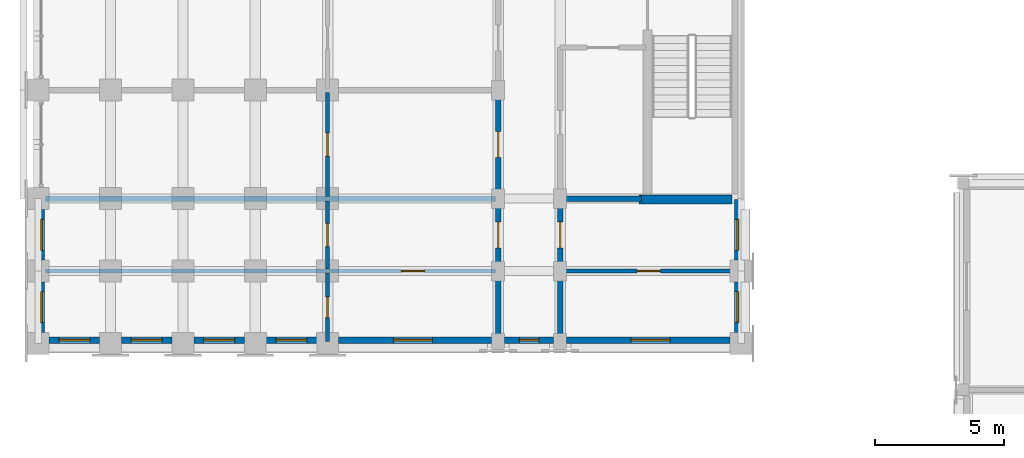
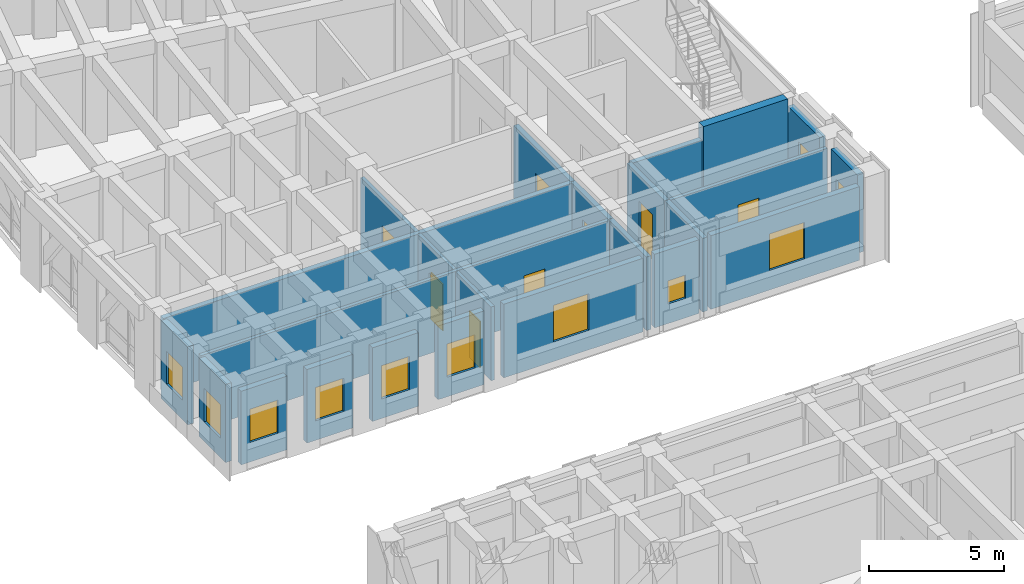
# One storey, part 65 of 97: 24 walls, 11 windows, 8 doors, 19 openings.
"""IFC4 building model written with IfcOpenShell, lengths in metres."""

from ifc_helpers import new_model, si_unit, direction, frame, frame_2d, origin, place, context, subcontext, project, spatial, rectangle, extrude, material, layer, layer_set, type_object, element, fill, save


model = new_model("IFC4")

# Units and contexts
model_context = context("Model", 3, precision=1e-05, world=origin(), true_north=direction((0.0, 1.0)))
body_context = subcontext(model_context, "Body", "Model", "MODEL_VIEW")
ifc_project = project(units=[si_unit("LENGTHUNIT", "METRE"), si_unit("AREAUNIT", "SQUARE_METRE"), si_unit("VOLUMEUNIT", "CUBIC_METRE"), si_unit("PLANEANGLEUNIT", "RADIAN"), si_unit("MASSUNIT", "GRAM", prefix="KILO")], contexts=[model_context])

# Site, building, storey
site_placement = place(None, origin())
site = spatial("IfcSite", under=ifc_project, at=site_placement, CompositionType="ELEMENT")
building_placement = place(site_placement, origin())
building = spatial("IfcBuilding", under=site, at=building_placement, Name="Kiranvali Square Residences", CompositionType="ELEMENT")
storey_placement = place(building_placement, frame((0.0, 0.0, 4.5)))
storey = spatial("IfcBuildingStorey", under=building, at=storey_placement, Name="L01", CompositionType="ELEMENT", Elevation=4.5)

# Wall, opening, door
ifc_material_1 = material(Name="Autoclaved aerated concrete blockwork masonry", Category="masonry")
ifc_layer_1 = layer(ifc_material_1, 0.199951171875)
ifc_layer_set_1 = layer_set([ifc_layer_1], Name="Autoclaved aerated concrete blockwork masonry")
wall_type_1 = type_object("IfcWallType", Name="WL-COR-200", PredefinedType="STANDARD", material=ifc_layer_set_1)
wall_1_placement = place(storey_placement, frame((20.0, 83.60009765625, 0.0), z_axis=(0.0, 0.0, 1.0), x_axis=(0.0, -1.0, 0.0)))
wall_1 = element("IfcWall", 1, at=wall_1_placement, inside=storey, type_object=wall_type_1, Name="L01 architectural wall WL-L01-A-A2CF-C1", PredefinedType="STANDARD", context=body_context, shape_type="SweptSolid", body=[
    extrude(rectangle(XDim=4.2001953125, YDim=0.199951171875, at=frame_2d((2.10009765625, 0.0))), origin(), (0.0, 0.0, 1.0), 3.322021484375),
])
opening_1_placement = place(wall_1_placement, frame((1.60009765625, 0.0, 0.0)))
opening_1 = element("IfcOpeningElement", 2, at=opening_1_placement, cuts=wall_1, Name="Opening FD-APT-60", PredefinedType="OPENING", context=body_context, shape_type="SweptSolid", body=[
    extrude(rectangle(XDim=1.0, YDim=2.14990234375, at=frame_2d((0.5, 1.074951171875))), frame((0.0, 0.10986328125, 0.0), z_axis=(0.0, -1.0, 0.0), x_axis=(1.0, 0.0, 0.0)), (0.0, 0.0, 1.0), 0.219970703125),
])
ifc_material_2 = material(Name="Fire-rated acoustic hardwood and mineral-core door assembly", Category="wood")
door_type_1 = type_object("IfcDoorType", Name="DR-APT-1000", OperationType="NOTDEFINED", PredefinedType="DOOR", material=ifc_material_2)
door_1_placement = place(opening_1_placement, frame((1.0, 0.0, 0.0), z_axis=(0.0, 0.0, 1.0), x_axis=(-1.0, 0.0, 0.0)))
door_1 = element("IfcDoor", 3, at=door_1_placement, inside=storey, type_object=door_type_1, Name="L01 door DR-L01-0146 (DR-APT-1000)", OperationType="SINGLE_SWING_RIGHT", OverallHeight=2.14990234375, OverallWidth=1.0, PredefinedType="DOOR", context=body_context, shape_type="SweptSolid", body=[
    extrude(rectangle(XDim=1.0, YDim=2.14990234375, at=frame_2d((0.5, 1.074951171875))), frame((0.0, 0.02490234375, 0.0), z_axis=(0.0, -1.0, 0.0), x_axis=(1.0, 0.0, 0.0)), (0.0, 0.0, 1.0), 0.050048828125),
])
fill(opening_1, door_1)

wall_2_placement = place(storey_placement, frame((22.39990234375, 79.39990234375, 0.0), z_axis=(0.0, 0.0, 1.0), x_axis=(0.0, -1.0, 0.0)))
wall_2 = element("IfcWall", 4, at=wall_2_placement, inside=storey, type_object=wall_type_1, Name="L01 architectural wall WL-L01-A-A2CI-0", PredefinedType="STANDARD", context=body_context, shape_type="SweptSolid", body=[
    extrude(rectangle(XDim=2.7998046875, YDim=0.199951171875, at=frame_2d((1.39990234375, 0.0))), origin(), (0.0, 0.0, 1.0), 3.322021484375),
])
opening_2_placement = place(wall_2_placement, frame((0.89990234375, 0.0, 0.0)))
opening_2 = element("IfcOpeningElement", 5, at=opening_2_placement, cuts=wall_2, Name="Opening FD-APT-60", PredefinedType="OPENING", context=body_context, shape_type="SweptSolid", body=[
    extrude(rectangle(XDim=1.0, YDim=2.14990234375, at=frame_2d((0.5, 1.074951171875))), frame((0.0, 0.10986328125, 0.0), z_axis=(0.0, -1.0, 0.0), x_axis=(1.0, 0.0, 0.0)), (0.0, 0.0, 1.0), 0.219970703125),
])
door_2_placement = place(opening_2_placement, frame((1.0, 0.0, 0.0), z_axis=(0.0, 0.0, 1.0), x_axis=(-1.0, 0.0, 0.0)))
door_2 = element("IfcDoor", 6, at=door_2_placement, inside=storey, type_object=door_type_1, Name="L01 door DR-L01-0148 (DR-APT-1000)", OperationType="SINGLE_SWING_RIGHT", OverallHeight=2.14990234375, OverallWidth=1.0, PredefinedType="DOOR", context=body_context, shape_type="SweptSolid", body=[
    extrude(rectangle(XDim=1.0, YDim=2.14990234375, at=frame_2d((0.5, 1.074951171875))), frame((0.0, 0.02490234375, 0.0), z_axis=(0.0, -1.0, 0.0), x_axis=(1.0, 0.0, 0.0)), (0.0, 0.0, 1.0), 0.050048828125),
])
fill(opening_2, door_2)

wall_3_placement = place(storey_placement, frame((20.0, 79.39990234375, 0.0), z_axis=(0.0, 0.0, 1.0), x_axis=(0.0, -1.0, 0.0)))
wall_3 = element("IfcWall", 7, at=wall_3_placement, inside=storey, type_object=wall_type_1, Name="L01 architectural wall WL-L01-A-A2CO-0", PredefinedType="STANDARD", context=body_context, shape_type="SweptSolid", body=[
    extrude(rectangle(XDim=2.7998046875, YDim=0.199951171875, at=frame_2d((1.39990234375, 0.0))), origin(), (0.0, 0.0, 1.0), 3.322021484375),
])
opening_3_placement = place(wall_3_placement, frame((0.89990234375, 0.0, 0.0)))
opening_3 = element("IfcOpeningElement", 8, at=opening_3_placement, cuts=wall_3, Name="Opening FD-APT-60", PredefinedType="OPENING", context=body_context, shape_type="SweptSolid", body=[
    extrude(rectangle(XDim=1.0, YDim=2.14990234375, at=frame_2d((0.5, 1.074951171875))), frame((0.0, 0.10986328125, 0.0), z_axis=(0.0, -1.0, 0.0), x_axis=(1.0, 0.0, 0.0)), (0.0, 0.0, 1.0), 0.219970703125),
])
door_3_placement = place(opening_3_placement, frame((1.0, 0.0, 0.0), z_axis=(0.0, 0.0, 1.0), x_axis=(-1.0, 0.0, 0.0)))
door_3 = element("IfcDoor", 9, at=door_3_placement, inside=storey, type_object=door_type_1, Name="L01 door DR-L01-0150 (DR-APT-1000)", OperationType="SINGLE_SWING_RIGHT", OverallHeight=2.14990234375, OverallWidth=1.0, PredefinedType="DOOR", context=body_context, shape_type="SweptSolid", body=[
    extrude(rectangle(XDim=1.0, YDim=2.14990234375, at=frame_2d((0.5, 1.074951171875))), frame((0.0, 0.02490234375, 0.0), z_axis=(0.0, -1.0, 0.0), x_axis=(1.0, 0.0, 0.0)), (0.0, 0.0, 1.0), 0.050048828125),
])
fill(opening_3, door_3)

# Walls
for number, where, z_axis, x_axis, name in (
    (10, (22.39990234375, 76.60009765625, 0.0), (0.0, 0.0, 1.0), (0.0, -1.0, 0.0), "L01 architectural wall WL-L01-A-A2CI-1"),
    (11, (20.0, 76.60009765625, 0.0), (0.0, 0.0, 1.0), (0.0, -1.0, 0.0), "L01 architectural wall WL-L01-A-A2CO-1"),
):
    element("IfcWall", number, at=place(storey_placement, frame(where, z_axis=z_axis, x_axis=x_axis)), inside=storey, type_object=wall_type_1, Name=name, PredefinedType="STANDARD", context=body_context, shape_type="SweptSolid", body=[
        extrude(rectangle(XDim=2.800048828125, YDim=0.199951171875, at=frame_2d((1.39990234375, 0.0))), origin(), (0.0, 0.0, 1.0), 3.322021484375),
    ])
ifc_layer_2 = layer(ifc_material_1, 0.219970703125)
ifc_layer_set_2 = layer_set([ifc_layer_2], Name="Autoclaved aerated concrete blockwork masonry")
wall_type_2 = type_object("IfcWallType", Name="WL-DEM-220", PredefinedType="STANDARD", material=ifc_layer_set_2)
wall_4_placement = place(storey_placement, frame((25.550048828125, 79.39990234375, 0.0), z_axis=(0.0, 0.0, 1.0), x_axis=(-1.0, 0.0, 0.0)))
element("IfcWall", 12, at=wall_4_placement, inside=storey, type_object=wall_type_2, Name="L01 architectural wall WL-L01-A-A2TI-0", PredefinedType="STANDARD", context=body_context, shape_type="SweptSolid", body=[
    extrude(rectangle(XDim=3.10009765625, YDim=0.219970703125, at=frame_2d((1.550048828125, 0.0))), origin(), (0.0, 0.0, 1.0), 3.322021484375),
])
wall_5_placement = place(storey_placement, frame((19.89990234375, 79.39990234375, 0.0), z_axis=(0.0, 0.0, 1.0), x_axis=(-1.0, 0.0, 0.0)))
element("IfcWall", 13, at=wall_5_placement, inside=storey, type_object=wall_type_2, Name="L01 architectural wall WL-L01-A-A2TO-0", PredefinedType="STANDARD", context=body_context, shape_type="SweptSolid", body=[
    extrude(rectangle(XDim=17.419921875, YDim=0.219970703125, at=frame_2d((8.7099609375, 0.0))), origin(), (0.0, 0.0, 1.0), 3.322021484375),
])

# Wall, opening, window
ifc_material_3 = material(Name="Breathable lime-rendered clay brick masonry", Category="masonry")
ifc_layer_3 = layer(ifc_material_3, 0.25)
ifc_layer_set_3 = layer_set([ifc_layer_3], Name="Breathable lime-rendered clay brick masonry")
wall_type_3 = type_object("IfcWallType", Name="WL-EXT-250", PredefinedType="STANDARD", material=ifc_layer_set_3)
wall_6_placement = place(storey_placement, frame((2.324951171875, 78.97998046875, 0.0), z_axis=(0.0, 0.0, 1.0), x_axis=(0.0, -1.0, 0.0)))
wall_6 = element("IfcWall", 14, at=wall_6_placement, inside=storey, type_object=wall_type_3, Name="L01 exterior wall A-L01-A2O-2", PredefinedType="STANDARD", context=body_context, shape_type="SweptSolid", body=[
    extrude(rectangle(XDim=1.9599609375, YDim=0.25, at=frame_2d((0.97998046875, 0.0))), origin(), (0.0, 0.0, 1.0), 3.52197265625),
])
opening_4_placement = place(wall_6_placement, frame((0.3798828125, 0.0, 0.8798828125)))
opening_4 = element("IfcOpeningElement", 15, at=opening_4_placement, cuts=wall_6, Name="Opening W-06", PredefinedType="OPENING", context=body_context, shape_type="SweptSolid", body=[
    extrude(rectangle(XDim=1.199951171875, YDim=1.5, at=frame_2d((0.60009765625, 0.75))), frame((0.0, 0.135009765625, 0.0), z_axis=(0.0, -1.0, 0.0), x_axis=(1.0, 0.0, 0.0)), (0.0, 0.0, 1.0), 0.27001953125),
])
ifc_material_4 = material(Name="Solar-control low-e double glazing", Category="glass")
window_type_1 = type_object("IfcWindowType", Name="WIN-RES-1200x1500", PartitioningType="SINGLE_PANEL", PredefinedType="WINDOW", material=ifc_material_4)
window_1_placement = place(opening_4_placement, origin())
window_1 = element("IfcWindow", 16, at=window_1_placement, inside=storey, type_object=window_type_1, Name="L01 recessed window A-L01-A2O-2", OverallHeight=1.5, OverallWidth=1.199951171875, PartitioningType="SINGLE_PANEL", PredefinedType="WINDOW", context=body_context, shape_type="SweptSolid", body=[
    extrude(rectangle(XDim=1.199951171875, YDim=1.5, at=frame_2d((0.60009765625, 0.75))), frame((0.0, 0.030029296875, 0.0), z_axis=(0.0, -1.0, 0.0), x_axis=(1.0, 0.0, 0.0)), (0.0, 0.0, 1.0), 0.06005859375),
])
fill(opening_4, window_1)

wall_7_placement = place(storey_placement, frame((2.324951171875, 76.179931640625, 0.0), z_axis=(0.0, 0.0, 1.0), x_axis=(0.0, -1.0, 0.0)))
wall_7 = element("IfcWall", 17, at=wall_7_placement, inside=storey, type_object=wall_type_3, Name="L01 exterior wall A-L01-A2O-3", PredefinedType="STANDARD", context=body_context, shape_type="SweptSolid", body=[
    extrude(rectangle(XDim=1.9599609375, YDim=0.25, at=frame_2d((0.97998046875, 0.0))), origin(), (0.0, 0.0, 1.0), 3.52197265625),
])
opening_5_placement = place(wall_7_placement, frame((0.3798828125, 0.0, 0.8798828125)))
opening_5 = element("IfcOpeningElement", 18, at=opening_5_placement, cuts=wall_7, Name="Opening W-06", PredefinedType="OPENING", context=body_context, shape_type="SweptSolid", body=[
    extrude(rectangle(XDim=1.199951171875, YDim=1.5, at=frame_2d((0.60009765625, 0.75))), frame((0.0, 0.135009765625, 0.0), z_axis=(0.0, -1.0, 0.0), x_axis=(1.0, 0.0, 0.0)), (0.0, 0.0, 1.0), 0.27001953125),
])
window_2_placement = place(opening_5_placement, origin())
window_2 = element("IfcWindow", 19, at=window_2_placement, inside=storey, type_object=window_type_1, Name="L01 recessed window A-L01-A2O-3", OverallHeight=1.5, OverallWidth=1.199951171875, PartitioningType="SINGLE_PANEL", PredefinedType="WINDOW", context=body_context, shape_type="SweptSolid", body=[
    extrude(rectangle(XDim=1.199951171875, YDim=1.5, at=frame_2d((0.60009765625, 0.75))), frame((0.0, 0.030029296875, 0.0), z_axis=(0.0, -1.0, 0.0), x_axis=(1.0, 0.0, 0.0)), (0.0, 0.0, 1.0), 0.06005859375),
])
fill(opening_5, window_2)

wall_8_placement = place(storey_placement, frame((29.27490234375, 79.37158203125, 0.0), z_axis=(0.0, 0.0, 1.0), x_axis=(0.0, -1.0, 0.0)))
wall_8 = element("IfcWall", 20, at=wall_8_placement, inside=storey, type_object=wall_type_3, Name="L01 exterior wall A-L01-A2I-0", PredefinedType="STANDARD", context=body_context, shape_type="SweptSolid", body=[
    extrude(rectangle(XDim=2.3515625, YDim=0.25, at=frame_2d((1.17578125, 0.0))), origin(), (0.0, 0.0, 1.0), 3.52197265625),
])
opening_6_placement = place(wall_8_placement, frame((0.771484375, 0.0, 0.8798828125)))
opening_6 = element("IfcOpeningElement", 21, at=opening_6_placement, cuts=wall_8, Name="Opening W-06", PredefinedType="OPENING", context=body_context, shape_type="SweptSolid", body=[
    extrude(rectangle(XDim=1.199951171875, YDim=1.5, at=frame_2d((0.60009765625, 0.75))), frame((0.0, 0.135009765625, 0.0), z_axis=(0.0, -1.0, 0.0), x_axis=(1.0, 0.0, 0.0)), (0.0, 0.0, 1.0), 0.27001953125),
])
window_3_placement = place(opening_6_placement, origin())
window_3 = element("IfcWindow", 22, at=window_3_placement, inside=storey, type_object=window_type_1, Name="L01 recessed window A-L01-A2I-0", OverallHeight=1.5, OverallWidth=1.199951171875, PartitioningType="SINGLE_PANEL", PredefinedType="WINDOW", context=body_context, shape_type="SweptSolid", body=[
    extrude(rectangle(XDim=1.199951171875, YDim=1.5, at=frame_2d((0.60009765625, 0.75))), frame((0.0, 0.030029296875, 0.0), z_axis=(0.0, -1.0, 0.0), x_axis=(1.0, 0.0, 0.0)), (0.0, 0.0, 1.0), 0.06005859375),
])
fill(opening_6, window_3)

wall_9_placement = place(storey_placement, frame((29.27490234375, 76.179931640625, 0.0), z_axis=(0.0, 0.0, 1.0), x_axis=(0.0, -1.0, 0.0)))
wall_9 = element("IfcWall", 23, at=wall_9_placement, inside=storey, type_object=wall_type_3, Name="L01 exterior wall A-L01-A2I-1", PredefinedType="STANDARD", context=body_context, shape_type="SweptSolid", body=[
    extrude(rectangle(XDim=1.9599609375, YDim=0.25, at=frame_2d((0.97998046875, 0.0))), origin(), (0.0, 0.0, 1.0), 3.52197265625),
])
opening_7_placement = place(wall_9_placement, frame((0.3798828125, 0.0, 0.8798828125)))
opening_7 = element("IfcOpeningElement", 24, at=opening_7_placement, cuts=wall_9, Name="Opening W-06", PredefinedType="OPENING", context=body_context, shape_type="SweptSolid", body=[
    extrude(rectangle(XDim=1.199951171875, YDim=1.5, at=frame_2d((0.60009765625, 0.75))), frame((0.0, 0.135009765625, 0.0), z_axis=(0.0, -1.0, 0.0), x_axis=(1.0, 0.0, 0.0)), (0.0, 0.0, 1.0), 0.27001953125),
])
window_4_placement = place(opening_7_placement, origin())
window_4 = element("IfcWindow", 25, at=window_4_placement, inside=storey, type_object=window_type_1, Name="L01 recessed window A-L01-A2I-1", OverallHeight=1.5, OverallWidth=1.199951171875, PartitioningType="SINGLE_PANEL", PredefinedType="WINDOW", context=body_context, shape_type="SweptSolid", body=[
    extrude(rectangle(XDim=1.199951171875, YDim=1.5, at=frame_2d((0.60009765625, 0.75))), frame((0.0, 0.030029296875, 0.0), z_axis=(0.0, -1.0, 0.0), x_axis=(1.0, 0.0, 0.0)), (0.0, 0.0, 1.0), 0.06005859375),
])
fill(opening_7, window_4)

wall_10_placement = place(storey_placement, frame((28.97998046875, 73.925048828125, 0.0), z_axis=(0.0, 0.0, 1.0), x_axis=(-1.0, 0.0, 0.0)))
wall_10 = element("IfcWall", 26, at=wall_10_placement, inside=storey, type_object=wall_type_3, Name="L01 exterior wall A-L01-A2END-0", PredefinedType="STANDARD", context=body_context, shape_type="SweptSolid", body=[
    extrude(rectangle(XDim=6.326416015625, YDim=0.25, at=frame_2d((3.1630859375, 0.0))), origin(), (0.0, 0.0, 1.0), 3.322021484375),
])
opening_8_placement = place(wall_10_placement, frame((2.330078125, 0.0, 0.8798828125)))
opening_8 = element("IfcOpeningElement", 27, at=opening_8_placement, cuts=wall_10, Name="Opening W-05", PredefinedType="OPENING", context=body_context, shape_type="SweptSolid", body=[
    extrude(rectangle(XDim=1.5, YDim=1.64990234375, at=frame_2d((0.75, 0.824951171875))), frame((0.0, 0.135009765625, 0.0), z_axis=(0.0, -1.0, 0.0), x_axis=(1.0, 0.0, 0.0)), (0.0, 0.0, 1.0), 0.27001953125),
])
window_type_2 = type_object("IfcWindowType", Name="WIN-RES-1500x1650", PartitioningType="DOUBLE_PANEL_VERTICAL", PredefinedType="WINDOW", material=ifc_material_4)
window_5_placement = place(opening_8_placement, origin())
window_5 = element("IfcWindow", 28, at=window_5_placement, inside=storey, type_object=window_type_2, Name="L01 recessed window A-L01-A2END-0", OverallHeight=1.64990234375, OverallWidth=1.5, PartitioningType="DOUBLE_PANEL_VERTICAL", PredefinedType="WINDOW", context=body_context, shape_type="SweptSolid", body=[
    extrude(rectangle(XDim=1.5, YDim=1.64990234375, at=frame_2d((0.75, 0.824951171875))), frame((0.0, 0.030029296875, 0.0), z_axis=(0.0, -1.0, 0.0), x_axis=(1.0, 0.0, 0.0)), (0.0, 0.0, 1.0), 0.06005859375),
])
fill(opening_8, window_5)

wall_11_placement = place(storey_placement, frame((22.146484375, 73.925048828125, 0.0), z_axis=(0.0, 0.0, 1.0), x_axis=(-1.0, 0.0, 0.0)))
wall_11 = element("IfcWall", 29, at=wall_11_placement, inside=storey, type_object=wall_type_3, Name="L01 exterior wall A-L01-A2END-1", PredefinedType="STANDARD", context=body_context, shape_type="SweptSolid", body=[
    extrude(rectangle(XDim=1.89306640625, YDim=0.25, at=frame_2d((0.946533203125, 0.0))), origin(), (0.0, 0.0, 1.0), 3.322021484375),
])
opening_9_placement = place(wall_11_placement, frame((0.571533203125, 0.0, 0.8798828125)))
opening_9 = element("IfcOpeningElement", 30, at=opening_9_placement, cuts=wall_11, Name="Opening W-07", PredefinedType="OPENING", context=body_context, shape_type="SweptSolid", body=[
    extrude(rectangle(XDim=0.75, YDim=1.050048828125, at=frame_2d((0.375, 0.52490234375))), frame((0.0, 0.135009765625, 0.0), z_axis=(0.0, -1.0, 0.0), x_axis=(1.0, 0.0, 0.0)), (0.0, 0.0, 1.0), 0.27001953125),
])
window_type_3 = type_object("IfcWindowType", Name="WIN-WET-750x1050", PartitioningType="SINGLE_PANEL", PredefinedType="WINDOW", material=ifc_material_4)
window_6_placement = place(opening_9_placement, origin())
window_6 = element("IfcWindow", 31, at=window_6_placement, inside=storey, type_object=window_type_3, Name="L01 recessed window A-L01-A2END-1", OverallHeight=1.050048828125, OverallWidth=0.75, PartitioningType="SINGLE_PANEL", PredefinedType="WINDOW", context=body_context, shape_type="SweptSolid", body=[
    extrude(rectangle(XDim=0.75, YDim=1.050048828125, at=frame_2d((0.375, 0.52490234375))), frame((0.0, 0.030029296875, 0.0), z_axis=(0.0, -1.0, 0.0), x_axis=(1.0, 0.0, 0.0)), (0.0, 0.0, 1.0), 0.06005859375),
])
fill(opening_9, window_6)

wall_12_placement = place(storey_placement, frame((19.74658203125, 73.925048828125, 0.0), z_axis=(0.0, 0.0, 1.0), x_axis=(-1.0, 0.0, 0.0)))
wall_12 = element("IfcWall", 32, at=wall_12_placement, inside=storey, type_object=wall_type_3, Name="L01 exterior wall A-L01-A2END-2", PredefinedType="STANDARD", context=body_context, shape_type="SweptSolid", body=[
    extrude(rectangle(XDim=5.926513671875, YDim=0.25, at=frame_2d((2.96337890625, 0.0))), origin(), (0.0, 0.0, 1.0), 3.322021484375),
])
opening_10_placement = place(wall_12_placement, frame((2.29638671875, 0.0, 0.8798828125)))
opening_10 = element("IfcOpeningElement", 33, at=opening_10_placement, cuts=wall_12, Name="Opening W-05", PredefinedType="OPENING", context=body_context, shape_type="SweptSolid", body=[
    extrude(rectangle(XDim=1.5, YDim=1.64990234375, at=frame_2d((0.75, 0.824951171875))), frame((0.0, 0.135009765625, 0.0), z_axis=(0.0, -1.0, 0.0), x_axis=(1.0, 0.0, 0.0)), (0.0, 0.0, 1.0), 0.27001953125),
])
window_7_placement = place(opening_10_placement, origin())
window_7 = element("IfcWindow", 34, at=window_7_placement, inside=storey, type_object=window_type_2, Name="L01 recessed window A-L01-A2END-2", OverallHeight=1.64990234375, OverallWidth=1.5, PartitioningType="DOUBLE_PANEL_VERTICAL", PredefinedType="WINDOW", context=body_context, shape_type="SweptSolid", body=[
    extrude(rectangle(XDim=1.5, YDim=1.64990234375, at=frame_2d((0.75, 0.824951171875))), frame((0.0, 0.030029296875, 0.0), z_axis=(0.0, -1.0, 0.0), x_axis=(1.0, 0.0, 0.0)), (0.0, 0.0, 1.0), 0.06005859375),
])
fill(opening_10, window_7)

wall_13_placement = place(storey_placement, frame((12.97998046875, 73.925048828125, 0.0), z_axis=(0.0, 0.0, 1.0), x_axis=(-1.0, 0.0, 0.0)))
wall_13 = element("IfcWall", 35, at=wall_13_placement, inside=storey, type_object=wall_type_3, Name="L01 exterior wall A-L01-A2END-3", PredefinedType="STANDARD", context=body_context, shape_type="SweptSolid", body=[
    extrude(rectangle(XDim=1.9599609375, YDim=0.25, at=frame_2d((0.97998046875, 0.0))), origin(), (0.0, 0.0, 1.0), 3.322021484375),
])
opening_11_placement = place(wall_13_placement, frame((0.3798828125, 0.0, 0.8798828125)))
opening_11 = element("IfcOpeningElement", 36, at=opening_11_placement, cuts=wall_13, Name="Opening W-06", PredefinedType="OPENING", context=body_context, shape_type="SweptSolid", body=[
    extrude(rectangle(XDim=1.199951171875, YDim=1.5, at=frame_2d((0.60009765625, 0.75))), frame((0.0, 0.135009765625, 0.0), z_axis=(0.0, -1.0, 0.0), x_axis=(1.0, 0.0, 0.0)), (0.0, 0.0, 1.0), 0.27001953125),
])
window_8_placement = place(opening_11_placement, origin())
window_8 = element("IfcWindow", 37, at=window_8_placement, inside=storey, type_object=window_type_1, Name="L01 recessed window A-L01-A2END-3", OverallHeight=1.5, OverallWidth=1.199951171875, PartitioningType="SINGLE_PANEL", PredefinedType="WINDOW", context=body_context, shape_type="SweptSolid", body=[
    extrude(rectangle(XDim=1.199951171875, YDim=1.5, at=frame_2d((0.60009765625, 0.75))), frame((0.0, 0.030029296875, 0.0), z_axis=(0.0, -1.0, 0.0), x_axis=(1.0, 0.0, 0.0)), (0.0, 0.0, 1.0), 0.06005859375),
])
fill(opening_11, window_8)

wall_14_placement = place(storey_placement, frame((10.179931640625, 73.925048828125, 0.0), z_axis=(0.0, 0.0, 1.0), x_axis=(-1.0, 0.0, 0.0)))
wall_14 = element("IfcWall", 38, at=wall_14_placement, inside=storey, type_object=wall_type_3, Name="L01 exterior wall A-L01-A2END-4", PredefinedType="STANDARD", context=body_context, shape_type="SweptSolid", body=[
    extrude(rectangle(XDim=1.9599609375, YDim=0.25, at=frame_2d((0.97998046875, 0.0))), origin(), (0.0, 0.0, 1.0), 3.322021484375),
])
opening_12_placement = place(wall_14_placement, frame((0.3798828125, 0.0, 0.8798828125)))
opening_12 = element("IfcOpeningElement", 39, at=opening_12_placement, cuts=wall_14, Name="Opening W-06", PredefinedType="OPENING", context=body_context, shape_type="SweptSolid", body=[
    extrude(rectangle(XDim=1.199951171875, YDim=1.5, at=frame_2d((0.60009765625, 0.75))), frame((0.0, 0.135009765625, 0.0), z_axis=(0.0, -1.0, 0.0), x_axis=(1.0, 0.0, 0.0)), (0.0, 0.0, 1.0), 0.27001953125),
])
window_9_placement = place(opening_12_placement, origin())
window_9 = element("IfcWindow", 40, at=window_9_placement, inside=storey, type_object=window_type_1, Name="L01 recessed window A-L01-A2END-4", OverallHeight=1.5, OverallWidth=1.199951171875, PartitioningType="SINGLE_PANEL", PredefinedType="WINDOW", context=body_context, shape_type="SweptSolid", body=[
    extrude(rectangle(XDim=1.199951171875, YDim=1.5, at=frame_2d((0.60009765625, 0.75))), frame((0.0, 0.030029296875, 0.0), z_axis=(0.0, -1.0, 0.0), x_axis=(1.0, 0.0, 0.0)), (0.0, 0.0, 1.0), 0.06005859375),
])
fill(opening_12, window_9)

wall_15_placement = place(storey_placement, frame((7.3798828125, 73.925048828125, 0.0), z_axis=(0.0, 0.0, 1.0), x_axis=(-1.0, 0.0, 0.0)))
wall_15 = element("IfcWall", 41, at=wall_15_placement, inside=storey, type_object=wall_type_3, Name="L01 exterior wall A-L01-A2END-5", PredefinedType="STANDARD", context=body_context, shape_type="SweptSolid", body=[
    extrude(rectangle(XDim=1.9599609375, YDim=0.25, at=frame_2d((0.97998046875, 0.0))), origin(), (0.0, 0.0, 1.0), 3.322021484375),
])
opening_13_placement = place(wall_15_placement, frame((0.3798828125, 0.0, 0.8798828125)))
opening_13 = element("IfcOpeningElement", 42, at=opening_13_placement, cuts=wall_15, Name="Opening W-06", PredefinedType="OPENING", context=body_context, shape_type="SweptSolid", body=[
    extrude(rectangle(XDim=1.199951171875, YDim=1.5, at=frame_2d((0.60009765625, 0.75))), frame((0.0, 0.135009765625, 0.0), z_axis=(0.0, -1.0, 0.0), x_axis=(1.0, 0.0, 0.0)), (0.0, 0.0, 1.0), 0.27001953125),
])
window_10_placement = place(opening_13_placement, origin())
window_10 = element("IfcWindow", 43, at=window_10_placement, inside=storey, type_object=window_type_1, Name="L01 recessed window A-L01-A2END-5", OverallHeight=1.5, OverallWidth=1.199951171875, PartitioningType="SINGLE_PANEL", PredefinedType="WINDOW", context=body_context, shape_type="SweptSolid", body=[
    extrude(rectangle(XDim=1.199951171875, YDim=1.5, at=frame_2d((0.60009765625, 0.75))), frame((0.0, 0.030029296875, 0.0), z_axis=(0.0, -1.0, 0.0), x_axis=(1.0, 0.0, 0.0)), (0.0, 0.0, 1.0), 0.06005859375),
])
fill(opening_13, window_10)

wall_16_placement = place(storey_placement, frame((4.580078125, 73.925048828125, 0.0), z_axis=(0.0, 0.0, 1.0), x_axis=(-1.0, 0.0, 0.0)))
wall_16 = element("IfcWall", 44, at=wall_16_placement, inside=storey, type_object=wall_type_3, Name="L01 exterior wall A-L01-A2END-6", PredefinedType="STANDARD", context=body_context, shape_type="SweptSolid", body=[
    extrude(rectangle(XDim=1.9599609375, YDim=0.25, at=frame_2d((0.97998046875, 0.0))), origin(), (0.0, 0.0, 1.0), 3.322021484375),
])
opening_14_placement = place(wall_16_placement, frame((0.3798828125, 0.0, 0.8798828125)))
opening_14 = element("IfcOpeningElement", 45, at=opening_14_placement, cuts=wall_16, Name="Opening W-06", PredefinedType="OPENING", context=body_context, shape_type="SweptSolid", body=[
    extrude(rectangle(XDim=1.199951171875, YDim=1.5, at=frame_2d((0.60009765625, 0.75))), frame((0.0, 0.135009765625, 0.0), z_axis=(0.0, -1.0, 0.0), x_axis=(1.0, 0.0, 0.0)), (0.0, 0.0, 1.0), 0.27001953125),
])
window_11_placement = place(opening_14_placement, origin())
window_11 = element("IfcWindow", 46, at=window_11_placement, inside=storey, type_object=window_type_1, Name="L01 recessed window A-L01-A2END-6", OverallHeight=1.5, OverallWidth=1.199951171875, PartitioningType="SINGLE_PANEL", PredefinedType="WINDOW", context=body_context, shape_type="SweptSolid", body=[
    extrude(rectangle(XDim=1.199951171875, YDim=1.5, at=frame_2d((0.60009765625, 0.75))), frame((0.0, 0.030029296875, 0.0), z_axis=(0.0, -1.0, 0.0), x_axis=(1.0, 0.0, 0.0)), (0.0, 0.0, 1.0), 0.06005859375),
])
fill(opening_14, window_11)

# Wall, opening, door
ifc_material_5 = material(Name="Acoustic gypsum board drylined partition", Category="gypsum")
ifc_layer_4 = layer(ifc_material_5, 0.14990234375)
ifc_layer_set_4 = layer_set([ifc_layer_4], Name="Acoustic gypsum board drylined partition")
wall_type_4 = type_object("IfcWallType", Name="WL-PRT-150", PredefinedType="PARTITIONING", material=ifc_layer_set_4)
wall_17_placement = place(storey_placement, frame((13.39990234375, 83.52001953125, 0.0), z_axis=(0.0, 0.0, 1.0), x_axis=(0.0, -1.0, 0.0)))
wall_17 = element("IfcWall", 47, at=wall_17_placement, inside=storey, type_object=wall_type_4, Name="L01 architectural wall WL-L01-A-A2CF-SP1", PredefinedType="PARTITIONING", context=body_context, shape_type="SweptSolid", body=[
    extrude(rectangle(XDim=4.0400390625, YDim=0.14990234375, at=frame_2d((2.02001953125, 0.0))), origin(), (0.0, 0.0, 1.0), 3.322021484375),
])
opening_15_placement = place(wall_17_placement, frame((1.570068359375, 0.0, 0.0)))
opening_15 = element("IfcOpeningElement", 48, at=opening_15_placement, cuts=wall_17, Name="Opening ID-1", PredefinedType="OPENING", context=body_context, shape_type="SweptSolid", body=[
    extrude(rectangle(XDim=0.89990234375, YDim=2.10009765625, at=frame_2d((0.449951171875, 1.050048828125))), frame((0.0, 0.0849609375, 0.0), z_axis=(0.0, -1.0, 0.0), x_axis=(1.0, 0.0, 0.0)), (0.0, 0.0, 1.0), 0.169921875),
])
ifc_material_6 = material(Name="Solid seasoned teak hardwood joinery", Category="wood")
door_type_2 = type_object("IfcDoorType", Name="DR-INT-900", OperationType="NOTDEFINED", PredefinedType="DOOR", material=ifc_material_6)
door_4_placement = place(opening_15_placement, origin())
door_4 = element("IfcDoor", 49, at=door_4_placement, inside=storey, type_object=door_type_2, Name="L01 door DR-L01-0147 (DR-INT-900)", OperationType="SINGLE_SWING_LEFT", OverallHeight=2.10009765625, OverallWidth=0.89990234375, PredefinedType="DOOR", context=body_context, shape_type="SweptSolid", body=[
    extrude(rectangle(XDim=0.89990234375, YDim=2.10009765625, at=frame_2d((0.449951171875, 1.050048828125))), frame((0.0, 0.02490234375, 0.0), z_axis=(0.0, -1.0, 0.0), x_axis=(1.0, 0.0, 0.0)), (0.0, 0.0, 1.0), 0.050048828125),
])
fill(opening_15, door_4)

wall_18_placement = place(storey_placement, frame((29.199951171875, 76.60009765625, 0.0), z_axis=(0.0, 0.0, 1.0), x_axis=(-1.0, 0.0, 0.0)))
wall_18 = element("IfcWall", 50, at=wall_18_placement, inside=storey, type_object=wall_type_4, Name="L01 architectural wall WL-L01-A-A2TI-1", PredefinedType="PARTITIONING", context=body_context, shape_type="SweptSolid", body=[
    extrude(rectangle(XDim=6.75, YDim=0.14990234375, at=frame_2d((3.375, 0.0))), origin(), (0.0, 0.0, 1.0), 3.322021484375),
])
opening_16_placement = place(wall_18_placement, frame((2.925048828125, 0.0, 0.0)))
opening_16 = element("IfcOpeningElement", 51, at=opening_16_placement, cuts=wall_18, Name="Opening ID-1", PredefinedType="OPENING", context=body_context, shape_type="SweptSolid", body=[
    extrude(rectangle(XDim=0.89990234375, YDim=2.10009765625, at=frame_2d((0.449951171875, 1.050048828125))), frame((0.0, 0.0849609375, 0.0), z_axis=(0.0, -1.0, 0.0), x_axis=(1.0, 0.0, 0.0)), (0.0, 0.0, 1.0), 0.169921875),
])
door_5_placement = place(opening_16_placement, frame((0.89990234375, 0.0, 0.0), z_axis=(0.0, 0.0, 1.0), x_axis=(-1.0, 0.0, 0.0)))
door_5 = element("IfcDoor", 52, at=door_5_placement, inside=storey, type_object=door_type_2, Name="L01 door DR-L01-0152 (DR-INT-900)", OperationType="SINGLE_SWING_RIGHT", OverallHeight=2.10009765625, OverallWidth=0.89990234375, PredefinedType="DOOR", context=body_context, shape_type="SweptSolid", body=[
    extrude(rectangle(XDim=0.89990234375, YDim=2.10009765625, at=frame_2d((0.449951171875, 1.050048828125))), frame((0.0, 0.02490234375, 0.0), z_axis=(0.0, -1.0, 0.0), x_axis=(1.0, 0.0, 0.0)), (0.0, 0.0, 1.0), 0.050048828125),
])
fill(opening_16, door_5)

wall_19_placement = place(storey_placement, frame((19.89990234375, 76.60009765625, 0.0), z_axis=(0.0, 0.0, 1.0), x_axis=(-1.0, 0.0, 0.0)))
wall_19 = element("IfcWall", 53, at=wall_19_placement, inside=storey, type_object=wall_type_4, Name="L01 architectural wall WL-L01-A-A2TO-1", PredefinedType="PARTITIONING", context=body_context, shape_type="SweptSolid", body=[
    extrude(rectangle(XDim=17.419921875, YDim=0.14990234375, at=frame_2d((8.7099609375, 0.0))), origin(), (0.0, 0.0, 1.0), 3.322021484375),
])
opening_17_placement = place(wall_19_placement, frame((2.75, 0.0, 0.0)))
opening_17 = element("IfcOpeningElement", 54, at=opening_17_placement, cuts=wall_19, Name="Opening ID-1", PredefinedType="OPENING", context=body_context, shape_type="SweptSolid", body=[
    extrude(rectangle(XDim=0.89990234375, YDim=2.10009765625, at=frame_2d((0.449951171875, 1.050048828125))), frame((0.0, 0.0849609375, 0.0), z_axis=(0.0, -1.0, 0.0), x_axis=(1.0, 0.0, 0.0)), (0.0, 0.0, 1.0), 0.169921875),
])
door_6_placement = place(opening_17_placement, origin())
door_6 = element("IfcDoor", 55, at=door_6_placement, inside=storey, type_object=door_type_2, Name="L01 door DR-L01-0153 (DR-INT-900)", OperationType="SINGLE_SWING_LEFT", OverallHeight=2.10009765625, OverallWidth=0.89990234375, PredefinedType="DOOR", context=body_context, shape_type="SweptSolid", body=[
    extrude(rectangle(XDim=0.89990234375, YDim=2.10009765625, at=frame_2d((0.449951171875, 1.050048828125))), frame((0.0, 0.02490234375, 0.0), z_axis=(0.0, -1.0, 0.0), x_axis=(1.0, 0.0, 0.0)), (0.0, 0.0, 1.0), 0.050048828125),
])
fill(opening_17, door_6)

# Wall
ifc_material_7 = material(Name="Concrete M50 (50 MPa)", Category="concrete")
ifc_layer_5 = layer(ifc_material_7, 0.35009765625)
ifc_layer_set_5 = layer_set([ifc_layer_5], Name="Concrete M50 (50 MPa)")
wall_type_5 = type_object("IfcWallType", Name="WL-SHR-350", PredefinedType="SHEAR", material=ifc_layer_set_5)
wall_20_placement = place(storey_placement, frame((29.050048828125, 79.375, 0.0), z_axis=(0.0, 0.0, 1.0), x_axis=(-1.0, 0.0, 0.0)))
element("IfcWall", 56, at=wall_20_placement, inside=storey, type_object=wall_type_5, Name="Block A core shear wall SW-A3-FAR-L01", PredefinedType="SHEAR", context=body_context, shape_type="SweptSolid", body=[
    extrude(rectangle(XDim=3.60009765625, YDim=0.35009765625, at=frame_2d((1.800048828125, 0.0))), origin(), (0.0, 0.0, 1.0), 3.97998046875),
])

# Wall, opening, door
ifc_layer_6 = layer(ifc_material_1, 0.14990234375)
ifc_layer_set_6 = layer_set([ifc_layer_6], Name="Autoclaved aerated concrete blockwork masonry")
wall_type_6 = type_object("IfcWallType", Name="WL-WET-150", PredefinedType="PLUMBINGWALL", material=ifc_layer_set_6)
wall_21_placement = place(storey_placement, frame((13.39990234375, 79.320068359375, 0.0), z_axis=(0.0, 0.0, 1.0), x_axis=(0.0, -1.0, 0.0)))
wall_21 = element("IfcWall", 57, at=wall_21_placement, inside=storey, type_object=wall_type_6, Name="L01 architectural wall WL-L01-A-A2SP-0", PredefinedType="PLUMBINGWALL", context=body_context, shape_type="SweptSolid", body=[
    extrude(rectangle(XDim=2.64013671875, YDim=0.14990234375, at=frame_2d((1.320068359375, 0.0))), origin(), (0.0, 0.0, 1.0), 3.322021484375),
])
opening_18_placement = place(wall_21_placement, frame((0.8701171875, 0.0, 0.0)))
opening_18 = element("IfcOpeningElement", 58, at=opening_18_placement, cuts=wall_21, Name="Opening ID-1", PredefinedType="OPENING", context=body_context, shape_type="SweptSolid", body=[
    extrude(rectangle(XDim=0.89990234375, YDim=2.10009765625, at=frame_2d((0.449951171875, 1.050048828125))), frame((0.0, 0.0849609375, 0.0), z_axis=(0.0, -1.0, 0.0), x_axis=(1.0, 0.0, 0.0)), (0.0, 0.0, 1.0), 0.169921875),
])
door_7_placement = place(opening_18_placement, origin())
door_7 = element("IfcDoor", 59, at=door_7_placement, inside=storey, type_object=door_type_2, Name="L01 door DR-L01-0149 (DR-INT-900)", OperationType="SINGLE_SWING_LEFT", OverallHeight=2.10009765625, OverallWidth=0.89990234375, PredefinedType="DOOR", context=body_context, shape_type="SweptSolid", body=[
    extrude(rectangle(XDim=0.89990234375, YDim=2.10009765625, at=frame_2d((0.449951171875, 1.050048828125))), frame((0.0, 0.02490234375, 0.0), z_axis=(0.0, -1.0, 0.0), x_axis=(1.0, 0.0, 0.0)), (0.0, 0.0, 1.0), 0.050048828125),
])
fill(opening_18, door_7)

wall_22_placement = place(storey_placement, frame((13.39990234375, 76.52001953125, 0.0), z_axis=(0.0, 0.0, 1.0), x_axis=(0.0, -1.0, 0.0)))
wall_22 = element("IfcWall", 60, at=wall_22_placement, inside=storey, type_object=wall_type_6, Name="L01 architectural wall WL-L01-A-A2SP-1", PredefinedType="PLUMBINGWALL", context=body_context, shape_type="SweptSolid", body=[
    extrude(rectangle(XDim=2.64013671875, YDim=0.14990234375, at=frame_2d((1.320068359375, 0.0))), origin(), (0.0, 0.0, 1.0), 3.322021484375),
])
opening_19_placement = place(wall_22_placement, frame((0.919921875, 0.0, 0.0)))
opening_19 = element("IfcOpeningElement", 61, at=opening_19_placement, cuts=wall_22, Name="Opening ID-WET", PredefinedType="OPENING", context=body_context, shape_type="SweptSolid", body=[
    extrude(rectangle(XDim=0.800048828125, YDim=2.10009765625, at=frame_2d((0.39990234375, 1.050048828125))), frame((0.0, 0.0849609375, 0.0), z_axis=(0.0, -1.0, 0.0), x_axis=(1.0, 0.0, 0.0)), (0.0, 0.0, 1.0), 0.169921875),
])
door_type_3 = type_object("IfcDoorType", Name="DR-WET-800", OperationType="NOTDEFINED", PredefinedType="DOOR", material=ifc_material_6)
door_8_placement = place(opening_19_placement, origin())
door_8 = element("IfcDoor", 62, at=door_8_placement, inside=storey, type_object=door_type_3, Name="L01 door DR-L01-0151 (DR-WET-800)", OperationType="SINGLE_SWING_LEFT", OverallHeight=2.10009765625, OverallWidth=0.800048828125, PredefinedType="DOOR", context=body_context, shape_type="SweptSolid", body=[
    extrude(rectangle(XDim=0.800048828125, YDim=2.10009765625, at=frame_2d((0.39990234375, 1.050048828125))), frame((0.0, 0.02490234375, 0.0), z_axis=(0.0, -1.0, 0.0), x_axis=(1.0, 0.0, 0.0)), (0.0, 0.0, 1.0), 0.050048828125),
])
fill(opening_19, door_8)

save(model, "model.ifc")
